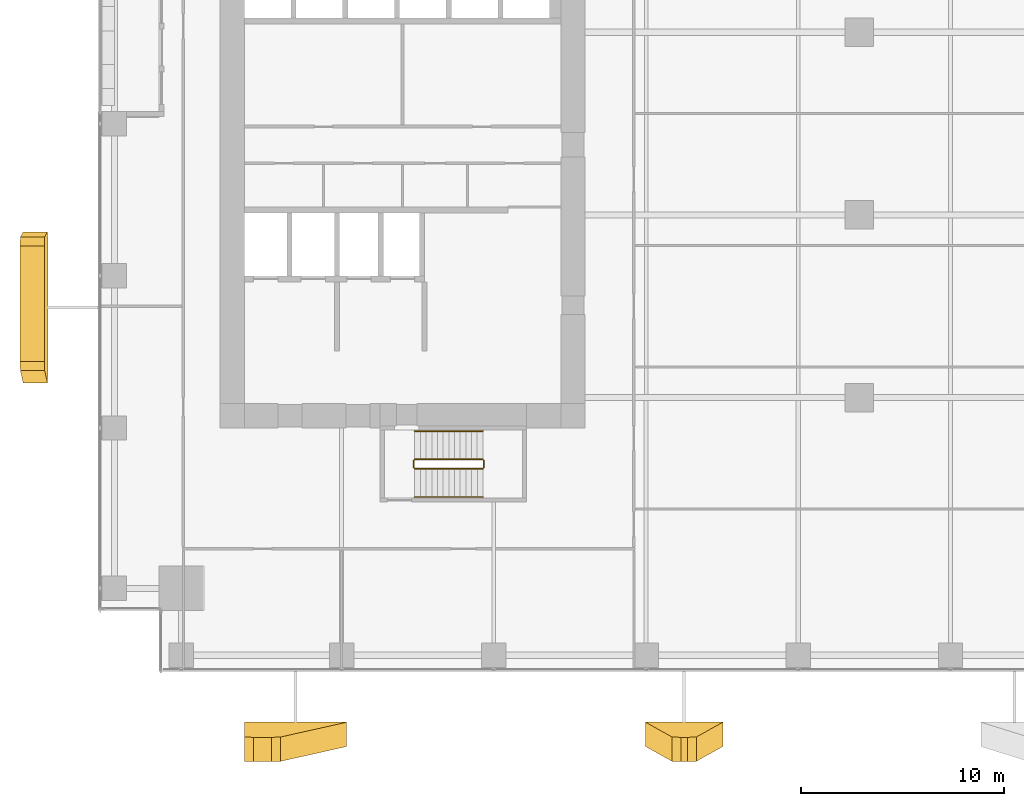
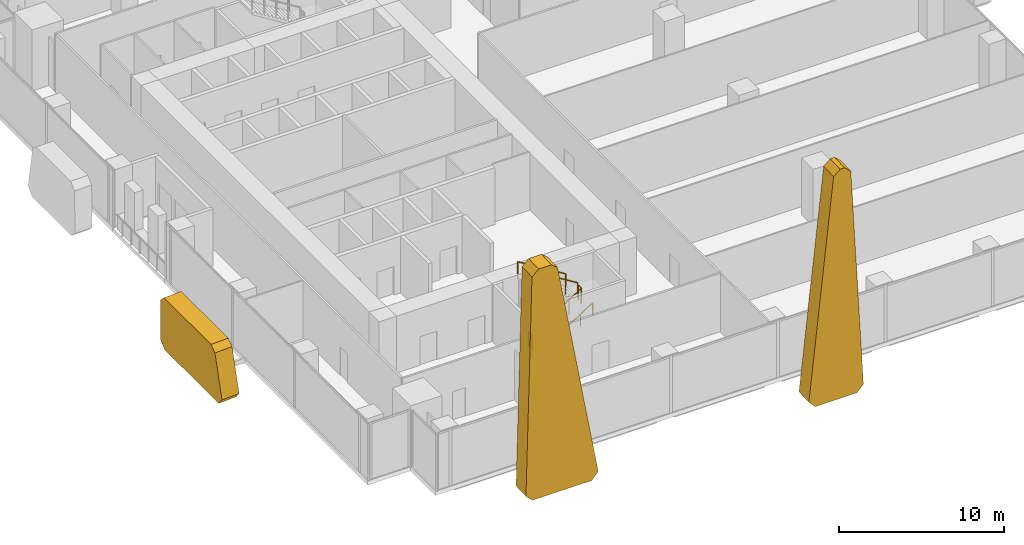
# One storey, part 31 of 35: 6 railings, 3 coverings.
"""IFC4 building model written with IfcOpenShell, lengths in metres."""

from ifc_helpers import new_model, si_unit, direction, frame, origin, origin_2d, place, context, subcontext, project, spatial, polyline, circle, outline, extrude, source, transform, mapped, material, layer, layer_set, type_object, element, save


model = new_model("IFC4")

# Units and contexts
model_context = context("Model", 3, precision=1e-05, world=origin(), true_north=direction((0.0, 1.0)))
body_context = subcontext(model_context, "Body", "Model", "MODEL_VIEW")
ifc_project = project(units=[si_unit("LENGTHUNIT", "METRE"), si_unit("AREAUNIT", "SQUARE_METRE"), si_unit("VOLUMEUNIT", "CUBIC_METRE"), si_unit("PLANEANGLEUNIT", "RADIAN"), si_unit("MASSUNIT", "GRAM", prefix="KILO")], contexts=[model_context])

# Site, building, storey
site_placement = place(None, origin())
site = spatial("IfcSite", under=ifc_project, at=site_placement, CompositionType="ELEMENT")
building_placement = place(site_placement, origin())
building = spatial("IfcBuilding", under=site, at=building_placement, Name="Khomas Fold Tower", CompositionType="ELEMENT")
storey_placement = place(building_placement, frame((0.0, 0.0, 69.0)))
storey = spatial("IfcBuildingStorey", under=building, at=storey_placement, Name="L14", CompositionType="ELEMENT", Elevation=69.0)

# Coverings
ifc_material_1 = material(Name="Natural stone cladding", Category="masonry")
ifc_layer = layer(ifc_material_1, 1.199951171875)
ifc_layer_set = layer_set([ifc_layer], Name="Natural stone cladding")
covering_type = type_object("IfcCoveringType", Name="SK-Karibib marble stone panel", PredefinedType="CLADDING", material=ifc_layer_set)
covering_1_placement = place(storey_placement, frame((8.987060546875, -3.229248046875, 17.1865234375), z_axis=(-2.42754e-07, 0.999041978205, 0.043762150142), x_axis=(0.191982998765, 0.042948144194, -0.980458048616)))
element("IfcCovering", 1, at=covering_1_placement, inside=storey, type_object=covering_type, Name="OUTER SKIN leaf L14 SS03-1", PredefinedType="CLADDING", context=body_context, shape_type="SweptSolid", body=[
    extrude(outline(polyline([(0.0, 0.0), (16.981992817778217, 0.0), (17.424115634679893, 0.5365104879173499), (16.626280037760417, 4.614967772640959), (16.097889498208925, 4.9700827028245165), (-0.25820048329804446, 1.7704731684448227), (-0.6138250723005255, 1.2424255118882064), (-0.441902797039061, 0.3635757104332539), (0.0, 0.0)])), origin(), (0.0, 0.0, -1.0), 1.199951171875),
])
covering_2_placement = place(storey_placement, frame((29.479248046875, -3.22705078125, 17.13525390625), z_axis=(0.0, 0.999042146664, 0.043758304237), x_axis=(0.078016060792, 0.043624933402, -0.995997168392)))
element("IfcCovering", 2, at=covering_2_placement, inside=storey, type_object=covering_type, Name="OUTER SKIN leaf L14 SS06-2", PredefinedType="CLADDING", context=body_context, shape_type="SweptSolid", body=[
    extrude(outline(polyline([(0.0, 0.0), (16.7170606347569, 0.0), (17.16614467359085, 0.48524521420216926), (16.938800996438246, 3.3904259497786984), (16.419719637435414, 3.7996629074300596), (-0.09386307314075322, 1.199457998066449), (-0.4727882536500879, 0.719703035345374), (-0.44892250067822026, 0.4147272091324558), (0.0, 0.0)])), origin(), (0.0, 0.0, -1.0), 1.199951171875),
])
covering_3_placement = place(storey_placement, frame((-2.6357421875, 21.416015625, 3.63525390625), z_axis=(0.999041256564, -2.644671e-06, 0.04377862122), x_axis=(0.043645312192, 0.078040127257, -0.995994390176)))
element("IfcCovering", 3, at=covering_3_placement, inside=storey, type_object=covering_type, Name="OUTER SKIN leaf L14 WS05-1", PredefinedType="CLADDING", context=body_context, shape_type="SweptSolid", body=[
    extrude(outline(polyline([(0.0, 0.0), (3.162810983027778, 0.0), (3.611883307623061, -0.4852560550026766), (3.1012120354411588, -7.009000369295419), (2.5329341328093937, -7.407762558170578), (-0.5631585888931288, -6.558572776051316), (-0.8931477412303275, -6.0894952658221255), (-0.44893251491532327, -0.4147163721260734), (0.0, 0.0)])), origin(), (0.0, 0.0, -1.0), 1.199951171875),
])

# Railings
ifc_material_2 = material(Name="Steel balustrade", Category="steel")
railing_type_1 = type_object("IfcRailingType", Name="Stair guard", PredefinedType="GUARDRAIL", material=ifc_material_2)
shared_shape_1 = source(origin(), body_context, "Body", "SweptSolid", [
    extrude(circle(Radius=0.02392578125, at=origin_2d()), frame((0.0, 0.0, 1.076171875), z_axis=(0.850606129759, 0.0, 0.525803396734), x_axis=(0.0, 1.0, 0.0)), (0.0, 0.0, 1.0), 3.949951171875),
    extrude(circle(Radius=0.02099609375, at=origin_2d()), origin(), (0.0, 0.0, 1.0), 1.052001953125),
    extrude(circle(Radius=0.02099609375, at=origin_2d()), frame((0.83984375, 0.0, 0.519287109375)), (0.0, 0.0, 1.0), 1.052001953125),
    extrude(circle(Radius=0.02099609375, at=origin_2d()), frame((1.679931640625, 0.0, 1.03857421875)), (0.0, 0.0, 1.0), 1.052001953125),
    extrude(circle(Radius=0.02099609375, at=origin_2d()), frame((2.52001953125, 0.0, 1.5576171875)), (0.0, 0.0, 1.0), 1.052001953125),
    extrude(circle(Radius=0.02099609375, at=origin_2d()), frame((3.35986328125, 0.0, 2.076904296875)), (0.0, 0.0, 1.0), 1.052001953125),
])
railing_1_placement = place(storey_placement, frame((15.60009765625, 10.0, 0.173095703125)))
element("IfcRailing", 4, at=railing_1_placement, inside=storey, type_object=railing_type_1, Name="L14 ST2 stair guard 1", PredefinedType="GUARDRAIL", context=body_context, shape_type="MappedRepresentation", body=[
    mapped(shared_shape_1, transform((0.0, 0.0, 0.0))),
])
shared_shape_2 = source(origin(), body_context, "Body", "SweptSolid", [
    extrude(circle(Radius=0.02392578125, at=origin_2d()), frame((0.0, 0.0, 1.076171875), z_axis=(0.0, 1.0, 0.0), x_axis=(-1.0, 0.0, 0.0)), (0.0, 0.0, 1.0), 0.349853515625),
    extrude(circle(Radius=0.02099609375, at=origin_2d()), origin(), (0.0, 0.0, 1.0), 1.052001953125),
    extrude(circle(Radius=0.02099609375, at=origin_2d()), frame((0.0, 0.349853515625, 0.0)), (0.0, 0.0, 1.0), 1.052001953125),
])
for number, where, name in (
    (5, (19.010009765625, 10.050048828125, 2.25), "L14 ST2 stair guard 2"),
    (6, (15.550048828125, 10.050048828125, 0.0), "L14 ST2 stair guard 4"),
):
    element("IfcRailing", number, at=place(storey_placement, frame(where)), inside=storey, type_object=railing_type_1, Name=name, PredefinedType="GUARDRAIL", context=body_context, shape_type="MappedRepresentation", body=[
        mapped(shared_shape_2, transform((0.0, 0.0, 0.0))),
    ])
shared_shape_3 = source(origin(), body_context, "Body", "SweptSolid", [
    extrude(circle(Radius=0.02392578125, at=origin_2d()), frame((0.0, 0.0, 1.076171875), z_axis=(-0.850606129759, 0.0, 0.525803396734), x_axis=(0.0, -1.0, 0.0)), (0.0, 0.0, 1.0), 3.949951171875),
    extrude(circle(Radius=0.02099609375, at=origin_2d()), origin(), (0.0, 0.0, 1.0), 1.052001953125),
    extrude(circle(Radius=0.02099609375, at=origin_2d()), frame((-0.83984375, 0.0, 0.519287109375)), (0.0, 0.0, 1.0), 1.052001953125),
    extrude(circle(Radius=0.02099609375, at=origin_2d()), frame((-1.679931640625, 0.0, 1.03857421875)), (0.0, 0.0, 1.0), 1.052001953125),
    extrude(circle(Radius=0.02099609375, at=origin_2d()), frame((-2.52001953125, 0.0, 1.5576171875)), (0.0, 0.0, 1.0), 1.052001953125),
    extrude(circle(Radius=0.02099609375, at=origin_2d()), frame((-3.35986328125, 0.0, 2.076904296875)), (0.0, 0.0, 1.0), 1.052001953125),
])
railing_2_placement = place(storey_placement, frame((18.9599609375, 10.449951171875, 2.423095703125)))
element("IfcRailing", 7, at=railing_2_placement, inside=storey, type_object=railing_type_1, Name="L14 ST2 stair guard 3", PredefinedType="GUARDRAIL", context=body_context, shape_type="MappedRepresentation", body=[
    mapped(shared_shape_3, transform((0.0, 0.0, 0.0))),
])
ifc_material_3 = material(Name="Steel handrail", Category="steel")
railing_type_2 = type_object("IfcRailingType", Name="Stair handrail", PredefinedType="HANDRAIL", material=ifc_material_3)
shared_shape_4 = source(origin(), body_context, "Body", "SweptSolid", [
    extrude(circle(Radius=0.02392578125, at=origin_2d()), frame((0.0, 0.0, 0.8759765625), z_axis=(0.850606129759, 0.0, 0.525803396734), x_axis=(0.0, 1.0, 0.0)), (0.0, 0.0, 1.0), 3.949951171875),
    extrude(circle(Radius=0.02099609375, at=origin_2d()), origin(), (0.0, 0.0, 1.0), 0.851806640625),
    extrude(circle(Radius=0.02099609375, at=origin_2d()), frame((0.83984375, 0.0, 0.519287109375)), (0.0, 0.0, 1.0), 0.851806640625),
    extrude(circle(Radius=0.02099609375, at=origin_2d()), frame((1.679931640625, 0.0, 1.03857421875)), (0.0, 0.0, 1.0), 0.851806640625),
    extrude(circle(Radius=0.02099609375, at=origin_2d()), frame((2.52001953125, 0.0, 1.5576171875)), (0.0, 0.0, 1.0), 0.851806640625),
    extrude(circle(Radius=0.02099609375, at=origin_2d()), frame((3.35986328125, 0.0, 2.076904296875)), (0.0, 0.0, 1.0), 0.851806640625),
])
railing_3_placement = place(storey_placement, frame((15.60009765625, 8.60009765625, 0.173095703125)))
element("IfcRailing", 8, at=railing_3_placement, inside=storey, type_object=railing_type_2, Name="L14 ST2 stair handrail 1", PredefinedType="HANDRAIL", context=body_context, shape_type="MappedRepresentation", body=[
    mapped(shared_shape_4, transform((0.0, 0.0, 0.0))),
])
shared_shape_5 = source(origin(), body_context, "Body", "SweptSolid", [
    extrude(circle(Radius=0.02392578125, at=origin_2d()), frame((0.0, 0.0, 0.8759765625), z_axis=(-0.850606129759, 0.0, 0.525803396734), x_axis=(0.0, -1.0, 0.0)), (0.0, 0.0, 1.0), 3.949951171875),
    extrude(circle(Radius=0.02099609375, at=origin_2d()), origin(), (0.0, 0.0, 1.0), 0.851806640625),
    extrude(circle(Radius=0.02099609375, at=origin_2d()), frame((-0.83984375, 0.0, 0.519287109375)), (0.0, 0.0, 1.0), 0.851806640625),
    extrude(circle(Radius=0.02099609375, at=origin_2d()), frame((-1.679931640625, 0.0, 1.03857421875)), (0.0, 0.0, 1.0), 0.851806640625),
    extrude(circle(Radius=0.02099609375, at=origin_2d()), frame((-2.52001953125, 0.0, 1.5576171875)), (0.0, 0.0, 1.0), 0.851806640625),
    extrude(circle(Radius=0.02099609375, at=origin_2d()), frame((-3.35986328125, 0.0, 2.076904296875)), (0.0, 0.0, 1.0), 0.851806640625),
])
railing_4_placement = place(storey_placement, frame((18.9599609375, 11.85009765625, 2.423095703125)))
element("IfcRailing", 9, at=railing_4_placement, inside=storey, type_object=railing_type_2, Name="L14 ST2 stair handrail 2", PredefinedType="HANDRAIL", context=body_context, shape_type="MappedRepresentation", body=[
    mapped(shared_shape_5, transform((0.0, 0.0, 0.0))),
])

save(model, "model.ifc")
